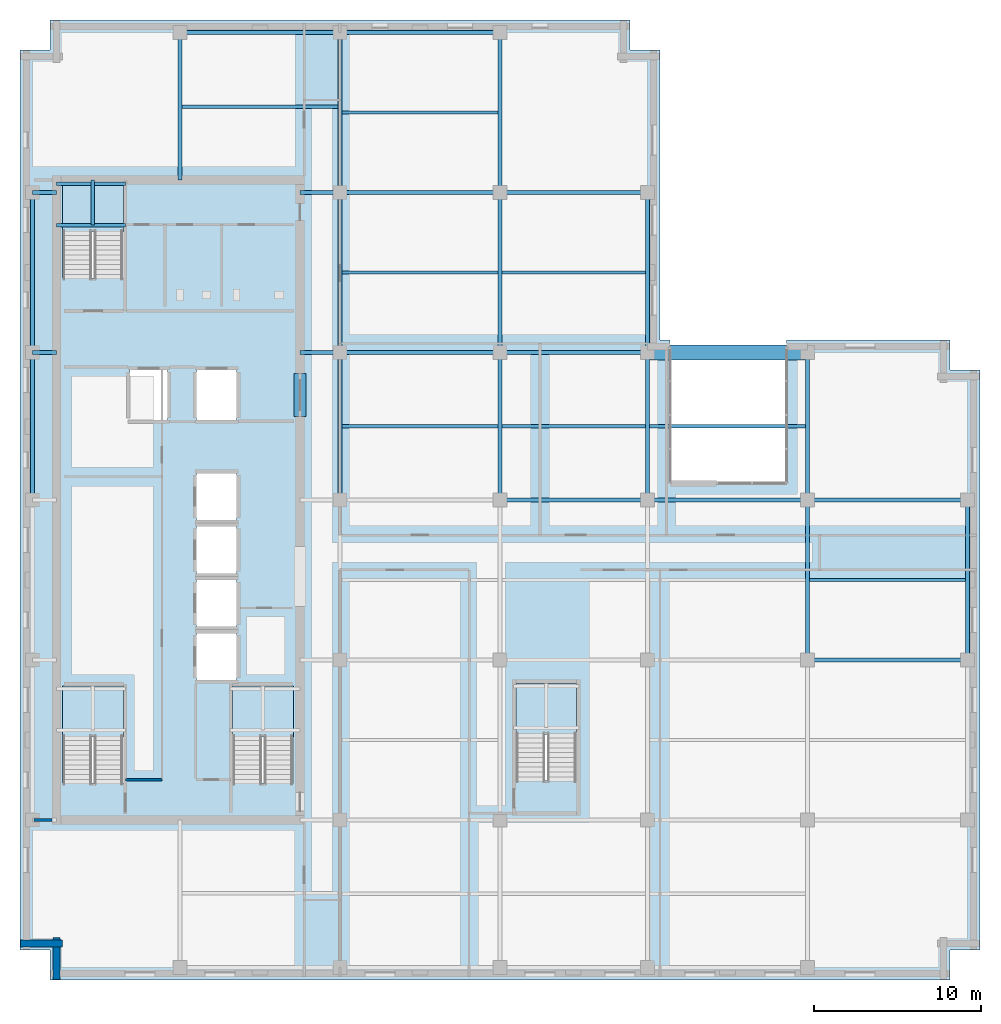
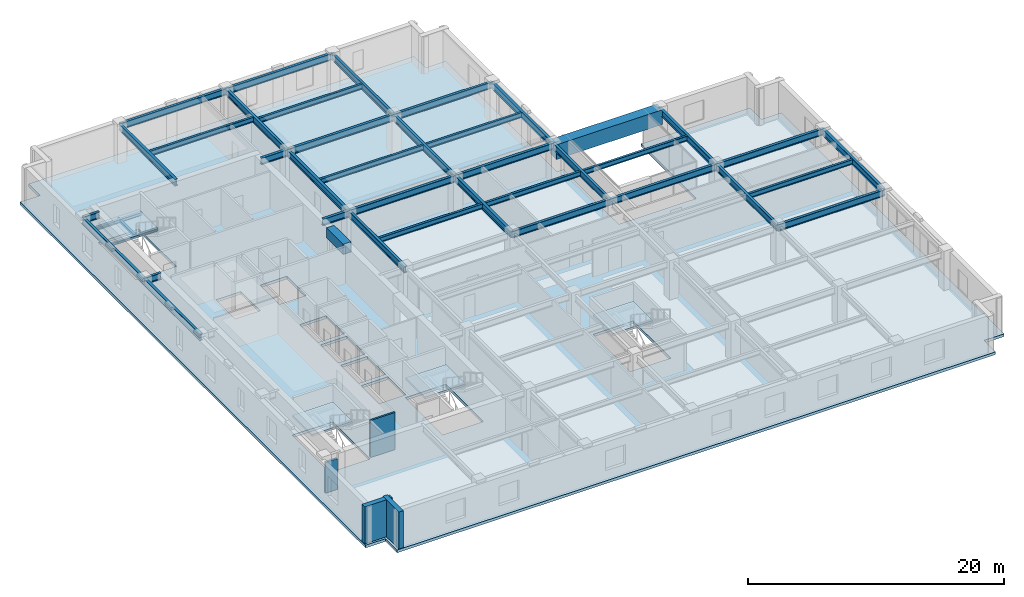
# One storey, part 2 of 12: 41 beams, 5 slabs, 4 walls, 4 elements without a shape of their own.
"""IFC4 building model written with IfcOpenShell, lengths in metres."""

from ifc_helpers import new_model, si_unit, direction, frame, frame_2d, origin, origin_2d, place, context, subcontext, project, spatial, polyline, rectangle, i_section, outline, extrude, material, layer, layer_set, material_profile, profile_set, type_object, element, aggregate, save


model = new_model("IFC4")

# Units and contexts
model_context = context("Model", 3, precision=1e-05, world=origin(), true_north=direction((0.0, 1.0)))
body_context = subcontext(model_context, "Body", "Model", "MODEL_VIEW")
ifc_project = project(units=[si_unit("LENGTHUNIT", "METRE"), si_unit("AREAUNIT", "SQUARE_METRE"), si_unit("VOLUMEUNIT", "CUBIC_METRE"), si_unit("PLANEANGLEUNIT", "RADIAN"), si_unit("MASSUNIT", "GRAM", prefix="KILO")], contexts=[model_context])

# Site, building, storey
site_placement = place(None, origin())
site = spatial("IfcSite", under=ifc_project, at=site_placement, CompositionType="ELEMENT")
building_placement = place(site_placement, origin())
building = spatial("IfcBuilding", under=site, at=building_placement, Name="Norrvale University Quadrangle", CompositionType="ELEMENT")
storey_placement = place(building_placement, frame((0.0, 0.0, 225.60009765625)))
storey = spatial("IfcBuildingStorey", under=building, at=storey_placement, Name="L57", CompositionType="ELEMENT", Elevation=225.60009765625)

# Beams
ifc_material_1 = material(Name="Concrete C80/95", Category="concrete")
ifc_material_profile_1 = material_profile(ifc_material_1, rectangle(XDim=0.699951171875, YDim=0.949951171875, at=origin_2d()), Name="Concrete C80/95")
ifc_profile_set_1 = profile_set([ifc_material_profile_1], Name="Concrete C80/95")
beam_type_1 = type_object("IfcBeamType", Name="Beam Core Link 700x950", PredefinedType="LINTEL", material=ifc_profile_set_1)
beam_1_placement = place(storey_placement, frame((16.800048828125, 33.800048828125, 3.06494140625), z_axis=(0.0, 1.0, 0.0), x_axis=(-1.0, 0.0, 0.0)))
element("IfcBeam", 1, at=beam_1_placement, inside=storey, type_object=beam_type_1, Name="Core Coupling Lintel Beam L57-2", PredefinedType="LINTEL", context=body_context, shape_type="SweptSolid", body=[
    extrude(rectangle(XDim=0.699951171875, YDim=0.949951171875, at=origin_2d()), origin(), (0.0, 0.0, 1.0), 2.599853515625),
])
ifc_material_2 = material(Name="Steel 350W", Category="steel")
ifc_material_profile_2 = material_profile(ifc_material_2, i_section(OverallWidth=0.194091796875, OverallDepth=0.468994140625, WebThickness=0.0126953125, FlangeThickness=0.0205078125, FilletRadius=0.012939453125, at=origin_2d()), Name="Steel 350W")
ifc_profile_set_2 = profile_set([ifc_material_profile_2], Name="Steel 350W")
beam_type_2 = type_object("IfcBeamType", Name="Beam Floor W460x106", PredefinedType="BEAM", material=ifc_profile_set_2)
for number, where, z_axis, x_axis, name in (
    (2, (19.31494140625, 33.22509765625, 3.305419921875), (1.0, 0.0, 0.0), (0.0, 1.0, 0.0), "Beam Floor W460x106 BM-L57-J063"),
    (3, (19.31494140625, 42.449951171875, 3.305419921875), (1.0, 0.0, 0.0), (0.0, 1.0, 0.0), "Beam Floor W460x106 BM-L57-J064"),
    (4, (19.31494140625, 52.050048828125, 3.305419921875), (1.0, 0.0, 0.0), (0.0, 1.0, 0.0), "Beam Floor W460x106 BM-L57-J065"),
):
    element("IfcBeam", number, at=place(storey_placement, frame(where, z_axis=z_axis, x_axis=x_axis)), inside=storey, type_object=beam_type_2, Name=name, PredefinedType="BEAM", context=body_context, shape_type="SweptSolid", body=[
        extrude(i_section(OverallWidth=0.194091796875, OverallDepth=0.468994140625, WebThickness=0.0126953125, FlangeThickness=0.0205078125, FilletRadius=0.012939453125, at=origin_2d()), origin(), (0.0, 0.0, 1.0), 9.3701171875),
    ])
for number, where, z_axis, x_axis, name in (
    (5, (28.9150390625, 33.22509765625, 3.305419921875), (1.0, 0.0, 0.0), (0.0, 1.0, 0.0), "Beam Floor W460x106 BM-L57-J068"),
    (6, (28.9150390625, 42.449951171875, 3.305419921875), (1.0, 0.0, 0.0), (0.0, 1.0, 0.0), "Beam Floor W460x106 BM-L57-J069"),
):
    element("IfcBeam", number, at=place(storey_placement, frame(where, z_axis=z_axis, x_axis=x_axis)), inside=storey, type_object=beam_type_2, Name=name, PredefinedType="BEAM", context=body_context, shape_type="SweptSolid", body=[
        extrude(i_section(OverallWidth=0.194091796875, OverallDepth=0.468994140625, WebThickness=0.0126953125, FlangeThickness=0.0205078125, FilletRadius=0.012939453125, at=origin_2d()), origin(), (0.0, 0.0, 1.0), 8.619873046875),
    ])
for number, where, z_axis, x_axis, name in (
    (7, (37.764892578125, 33.22509765625, 3.305419921875), (1.0, 0.0, 0.0), (0.0, 1.0, 0.0), "Beam Floor W460x106 BM-L57-J073"),
    (8, (47.364990234375, 24.0, 3.305419921875), (1.0, 0.0, 0.0), (0.0, 1.0, 0.0), "Beam Floor W460x106 BM-L57-J075"),
):
    element("IfcBeam", number, at=place(storey_placement, frame(where, z_axis=z_axis, x_axis=x_axis)), inside=storey, type_object=beam_type_2, Name=name, PredefinedType="BEAM", context=body_context, shape_type="SweptSolid", body=[
        extrude(i_section(OverallWidth=0.194091796875, OverallDepth=0.468994140625, WebThickness=0.0126953125, FlangeThickness=0.0205078125, FilletRadius=0.012939453125, at=origin_2d()), origin(), (0.0, 0.0, 1.0), 9.3701171875),
    ])
beam_2_placement = place(storey_placement, frame((9.715087890625, 52.39990234375, 3.305419921875), z_axis=(1.0, 0.0, 0.0), x_axis=(0.0, 1.0, 0.0)))
element("IfcBeam", 9, at=beam_2_placement, inside=storey, type_object=beam_type_2, Name="Beam Floor W460x106 BM-L57-JCN079", PredefinedType="BEAM", context=body_context, shape_type="SweptSolid", body=[
    extrude(i_section(OverallWidth=0.194091796875, OverallDepth=0.468994140625, WebThickness=0.0126953125, FlangeThickness=0.0205078125, FilletRadius=0.012939453125, at=origin_2d()), origin(), (0.0, 0.0, 1.0), 9.369873046875),
])
ifc_material_profile_3 = material_profile(ifc_material_2, i_section(OverallWidth=0.22998046875, OverallDepth=0.616943359375, WebThickness=0.01318359375, FlangeThickness=0.022216796875, FilletRadius=0.01611328125, at=origin_2d()), Name="Steel 350W")
ifc_profile_set_3 = profile_set([ifc_material_profile_3], Name="Steel 350W")
beam_type_3 = type_object("IfcBeamType", Name="Beam Floor W610x140", PredefinedType="BEAM", material=ifc_profile_set_3)
beam_3_placement = place(storey_placement, frame((47.25, 19.199951171875, 3.2314453125), z_axis=(1.0, 0.0, 0.0), x_axis=(0.0, 1.0, 0.0)))
element("IfcBeam", 10, at=beam_3_placement, inside=storey, type_object=beam_type_3, Name="Beam Floor W610x140 BM-L57-GX012", PredefinedType="BEAM", context=body_context, shape_type="SweptSolid", body=[
    extrude(i_section(OverallWidth=0.22998046875, OverallDepth=0.616943359375, WebThickness=0.01318359375, FlangeThickness=0.022216796875, FilletRadius=0.01611328125, at=origin_2d()), origin(), (0.0, 0.0, 1.0), 9.60009765625),
])
beam_4_placement = place(storey_placement, frame((28.800048828125, 28.800048828125, 3.2314453125), z_axis=(1.0, 0.0, 0.0), x_axis=(0.0, 1.0, 0.0)))
element("IfcBeam", 11, at=beam_4_placement, inside=storey, type_object=beam_type_3, Name="Beam Floor W610x140 BM-L57-GX014", PredefinedType="BEAM", context=body_context, shape_type="SweptSolid", body=[
    extrude(i_section(OverallWidth=0.22998046875, OverallDepth=0.616943359375, WebThickness=0.01318359375, FlangeThickness=0.022216796875, FilletRadius=0.01611328125, at=origin_2d()), origin(), (0.0, 0.0, 1.0), 8.849853515625),
])
for number, where, z_axis, x_axis, name in (
    (12, (37.64990234375, 28.800048828125, 3.2314453125), (1.0, 0.0, 0.0), (0.0, 1.0, 0.0), "Beam Floor W610x140 BM-L57-GX015"),
    (13, (47.25, 28.800048828125, 3.2314453125), (1.0, 0.0, 0.0), (0.0, 1.0, 0.0), "Beam Floor W610x140 BM-L57-GX016"),
    (14, (19.199951171875, 37.64990234375, 3.2314453125), (1.0, 0.0, 0.0), (0.0, 1.0, 0.0), "Beam Floor W610x140 BM-L57-GX017"),
):
    element("IfcBeam", number, at=place(storey_placement, frame(where, z_axis=z_axis, x_axis=x_axis)), inside=storey, type_object=beam_type_3, Name=name, PredefinedType="BEAM", context=body_context, shape_type="SweptSolid", body=[
        extrude(i_section(OverallWidth=0.22998046875, OverallDepth=0.616943359375, WebThickness=0.01318359375, FlangeThickness=0.022216796875, FilletRadius=0.01611328125, at=origin_2d()), origin(), (0.0, 0.0, 1.0), 9.60009765625),
    ])
beam_5_placement = place(storey_placement, frame((28.800048828125, 37.64990234375, 3.2314453125), z_axis=(1.0, 0.0, 0.0), x_axis=(0.0, 1.0, 0.0)))
element("IfcBeam", 15, at=beam_5_placement, inside=storey, type_object=beam_type_3, Name="Beam Floor W610x140 BM-L57-GX018", PredefinedType="BEAM", context=body_context, shape_type="SweptSolid", body=[
    extrude(i_section(OverallWidth=0.22998046875, OverallDepth=0.616943359375, WebThickness=0.01318359375, FlangeThickness=0.022216796875, FilletRadius=0.01611328125, at=origin_2d()), origin(), (0.0, 0.0, 1.0), 8.849853515625),
])
beam_6_placement = place(storey_placement, frame((19.199951171875, 47.25, 3.2314453125), z_axis=(1.0, 0.0, 0.0), x_axis=(0.0, 1.0, 0.0)))
element("IfcBeam", 16, at=beam_6_placement, inside=storey, type_object=beam_type_3, Name="Beam Floor W610x140 BM-L57-GX019", PredefinedType="BEAM", context=body_context, shape_type="SweptSolid", body=[
    extrude(i_section(OverallWidth=0.22998046875, OverallDepth=0.616943359375, WebThickness=0.01318359375, FlangeThickness=0.022216796875, FilletRadius=0.01611328125, at=origin_2d()), origin(), (0.0, 0.0, 1.0), 9.60009765625),
])
beam_7_placement = place(storey_placement, frame((28.800048828125, 47.25, 3.2314453125), z_axis=(1.0, 0.0, 0.0), x_axis=(0.0, 1.0, 0.0)))
element("IfcBeam", 17, at=beam_7_placement, inside=storey, type_object=beam_type_3, Name="Beam Floor W610x140 BM-L57-GX020", PredefinedType="BEAM", context=body_context, shape_type="SweptSolid", body=[
    extrude(i_section(OverallWidth=0.22998046875, OverallDepth=0.616943359375, WebThickness=0.01318359375, FlangeThickness=0.022216796875, FilletRadius=0.01611328125, at=origin_2d()), origin(), (0.0, 0.0, 1.0), 8.849853515625),
])
beam_8_placement = place(storey_placement, frame((9.60009765625, 56.85009765625, 3.2314453125), z_axis=(1.0, 0.0, 0.0), x_axis=(0.0, 1.0, 0.0)))
element("IfcBeam", 18, at=beam_8_placement, inside=storey, type_object=beam_type_3, Name="Beam Floor W610x140 BM-L57-GX021", PredefinedType="BEAM", context=body_context, shape_type="SweptSolid", body=[
    extrude(i_section(OverallWidth=0.22998046875, OverallDepth=0.616943359375, WebThickness=0.01318359375, FlangeThickness=0.022216796875, FilletRadius=0.01611328125, at=origin_2d()), origin(), (0.0, 0.0, 1.0), 9.599853515625),
])
beam_9_placement = place(storey_placement, frame((19.199951171875, 56.85009765625, 3.2314453125), z_axis=(1.0, 0.0, 0.0), x_axis=(0.0, 1.0, 0.0)))
element("IfcBeam", 19, at=beam_9_placement, inside=storey, type_object=beam_type_3, Name="Beam Floor W610x140 BM-L57-GX022", PredefinedType="BEAM", context=body_context, shape_type="SweptSolid", body=[
    extrude(i_section(OverallWidth=0.22998046875, OverallDepth=0.616943359375, WebThickness=0.01318359375, FlangeThickness=0.022216796875, FilletRadius=0.01611328125, at=origin_2d()), origin(), (0.0, 0.0, 1.0), 9.60009765625),
])
beam_10_placement = place(storey_placement, frame((0.75, 28.800048828125, 3.2314453125), z_axis=(0.0, 1.0, 0.0), x_axis=(-1.0, 0.0, 0.0)))
element("IfcBeam", 20, at=beam_10_placement, inside=storey, type_object=beam_type_3, Name="Beam Floor W610x140 BM-L57-GY025", PredefinedType="BEAM", context=body_context, shape_type="SweptSolid", body=[
    extrude(i_section(OverallWidth=0.22998046875, OverallDepth=0.616943359375, WebThickness=0.01318359375, FlangeThickness=0.022216796875, FilletRadius=0.01611328125, at=origin_2d()), origin(), (0.0, 0.0, 1.0), 8.849853515625),
])
beam_11_placement = place(storey_placement, frame((0.75, 37.64990234375, 3.2314453125), z_axis=(0.0, 1.0, 0.0), x_axis=(-1.0, 0.0, 0.0)))
element("IfcBeam", 21, at=beam_11_placement, inside=storey, type_object=beam_type_3, Name="Beam Floor W610x140 BM-L57-GY026", PredefinedType="BEAM", context=body_context, shape_type="SweptSolid", body=[
    extrude(i_section(OverallWidth=0.22998046875, OverallDepth=0.616943359375, WebThickness=0.01318359375, FlangeThickness=0.022216796875, FilletRadius=0.01611328125, at=origin_2d()), origin(), (0.0, 0.0, 1.0), 9.60009765625),
])
beam_12_placement = place(storey_placement, frame((19.199951171875, 28.800048828125, 3.2314453125), z_axis=(0.0, 1.0, 0.0), x_axis=(-1.0, 0.0, 0.0)))
element("IfcBeam", 22, at=beam_12_placement, inside=storey, type_object=beam_type_3, Name="Beam Floor W610x140 BM-L57-GY030", PredefinedType="BEAM", context=body_context, shape_type="SweptSolid", body=[
    extrude(i_section(OverallWidth=0.22998046875, OverallDepth=0.616943359375, WebThickness=0.01318359375, FlangeThickness=0.022216796875, FilletRadius=0.01611328125, at=origin_2d()), origin(), (0.0, 0.0, 1.0), 8.849853515625),
])
for number, where, z_axis, x_axis, name in (
    (23, (19.199951171875, 37.64990234375, 3.2314453125), (0.0, 1.0, 0.0), (-1.0, 0.0, 0.0), "Beam Floor W610x140 BM-L57-GY031"),
    (24, (19.199951171875, 47.25, 3.2314453125), (0.0, 1.0, 0.0), (-1.0, 0.0, 0.0), "Beam Floor W610x140 BM-L57-GY032"),
):
    element("IfcBeam", number, at=place(storey_placement, frame(where, z_axis=z_axis, x_axis=x_axis)), inside=storey, type_object=beam_type_3, Name=name, PredefinedType="BEAM", context=body_context, shape_type="SweptSolid", body=[
        extrude(i_section(OverallWidth=0.22998046875, OverallDepth=0.616943359375, WebThickness=0.01318359375, FlangeThickness=0.022216796875, FilletRadius=0.01611328125, at=origin_2d()), origin(), (0.0, 0.0, 1.0), 9.60009765625),
    ])
beam_13_placement = place(storey_placement, frame((28.800048828125, 28.800048828125, 3.2314453125), z_axis=(0.0, 1.0, 0.0), x_axis=(-1.0, 0.0, 0.0)))
element("IfcBeam", 25, at=beam_13_placement, inside=storey, type_object=beam_type_3, Name="Beam Floor W610x140 BM-L57-GY036", PredefinedType="BEAM", context=body_context, shape_type="SweptSolid", body=[
    extrude(i_section(OverallWidth=0.22998046875, OverallDepth=0.616943359375, WebThickness=0.01318359375, FlangeThickness=0.022216796875, FilletRadius=0.01611328125, at=origin_2d()), origin(), (0.0, 0.0, 1.0), 8.849853515625),
])
for number, where, z_axis, x_axis, name in (
    (26, (28.800048828125, 37.64990234375, 3.2314453125), (0.0, 1.0, 0.0), (-1.0, 0.0, 0.0), "Beam Floor W610x140 BM-L57-GY037"),
    (27, (28.800048828125, 47.25, 3.2314453125), (0.0, 1.0, 0.0), (-1.0, 0.0, 0.0), "Beam Floor W610x140 BM-L57-GY038"),
):
    element("IfcBeam", number, at=place(storey_placement, frame(where, z_axis=z_axis, x_axis=x_axis)), inside=storey, type_object=beam_type_3, Name=name, PredefinedType="BEAM", context=body_context, shape_type="SweptSolid", body=[
        extrude(i_section(OverallWidth=0.22998046875, OverallDepth=0.616943359375, WebThickness=0.01318359375, FlangeThickness=0.022216796875, FilletRadius=0.01611328125, at=origin_2d()), origin(), (0.0, 0.0, 1.0), 9.60009765625),
    ])
beam_14_placement = place(storey_placement, frame((37.64990234375, 28.800048828125, 3.2314453125), z_axis=(0.0, 1.0, 0.0), x_axis=(-1.0, 0.0, 0.0)))
element("IfcBeam", 28, at=beam_14_placement, inside=storey, type_object=beam_type_3, Name="Beam Floor W610x140 BM-L57-GY042", PredefinedType="BEAM", context=body_context, shape_type="SweptSolid", body=[
    extrude(i_section(OverallWidth=0.22998046875, OverallDepth=0.616943359375, WebThickness=0.01318359375, FlangeThickness=0.022216796875, FilletRadius=0.01611328125, at=origin_2d()), origin(), (0.0, 0.0, 1.0), 8.849853515625),
])
for number, where, z_axis, x_axis, name in (
    (29, (37.64990234375, 37.64990234375, 3.2314453125), (0.0, 1.0, 0.0), (-1.0, 0.0, 0.0), "Beam Floor W610x140 BM-L57-GY043"),
    (30, (47.25, 19.199951171875, 3.2314453125), (0.0, 1.0, 0.0), (-1.0, 0.0, 0.0), "Beam Floor W610x140 BM-L57-GY046"),
):
    element("IfcBeam", number, at=place(storey_placement, frame(where, z_axis=z_axis, x_axis=x_axis)), inside=storey, type_object=beam_type_3, Name=name, PredefinedType="BEAM", context=body_context, shape_type="SweptSolid", body=[
        extrude(i_section(OverallWidth=0.22998046875, OverallDepth=0.616943359375, WebThickness=0.01318359375, FlangeThickness=0.022216796875, FilletRadius=0.01611328125, at=origin_2d()), origin(), (0.0, 0.0, 1.0), 9.60009765625),
    ])
beam_15_placement = place(storey_placement, frame((47.25, 28.800048828125, 3.2314453125), z_axis=(0.0, 1.0, 0.0), x_axis=(-1.0, 0.0, 0.0)))
element("IfcBeam", 31, at=beam_15_placement, inside=storey, type_object=beam_type_3, Name="Beam Floor W610x140 BM-L57-GY047", PredefinedType="BEAM", context=body_context, shape_type="SweptSolid", body=[
    extrude(i_section(OverallWidth=0.22998046875, OverallDepth=0.616943359375, WebThickness=0.01318359375, FlangeThickness=0.022216796875, FilletRadius=0.01611328125, at=origin_2d()), origin(), (0.0, 0.0, 1.0), 8.849853515625),
])
beam_16_placement = place(storey_placement, frame((56.85009765625, 19.199951171875, 3.2314453125), z_axis=(0.0, 1.0, 0.0), x_axis=(-1.0, 0.0, 0.0)))
element("IfcBeam", 32, at=beam_16_placement, inside=storey, type_object=beam_type_3, Name="Beam Floor W610x140 BM-L57-GY049", PredefinedType="BEAM", context=body_context, shape_type="SweptSolid", body=[
    extrude(i_section(OverallWidth=0.22998046875, OverallDepth=0.616943359375, WebThickness=0.01318359375, FlangeThickness=0.022216796875, FilletRadius=0.01611328125, at=origin_2d()), origin(), (0.0, 0.0, 1.0), 9.60009765625),
])
beam_17_placement = place(storey_placement, frame((0.75, 37.64990234375, 3.2314453125), z_axis=(1.0, 0.0, 0.0), x_axis=(0.0, 1.0, 0.0)))
element("IfcBeam", 33, at=beam_17_placement, inside=storey, type_object=beam_type_3, Name="Beam Floor W610x140 BM-L57-GCW056", PredefinedType="BEAM", context=body_context, shape_type="SweptSolid", body=[
    extrude(i_section(OverallWidth=0.22998046875, OverallDepth=0.616943359375, WebThickness=0.01318359375, FlangeThickness=0.022216796875, FilletRadius=0.01611328125, at=origin_2d()), origin(), (0.0, 0.0, 1.0), 1.449951171875),
])
beam_18_placement = place(storey_placement, frame((16.800048828125, 37.64990234375, 3.2314453125), z_axis=(1.0, 0.0, 0.0), x_axis=(0.0, 1.0, 0.0)))
element("IfcBeam", 34, at=beam_18_placement, inside=storey, type_object=beam_type_3, Name="Beam Floor W610x140 BM-L57-GCE057", PredefinedType="BEAM", context=body_context, shape_type="SweptSolid", body=[
    extrude(i_section(OverallWidth=0.22998046875, OverallDepth=0.616943359375, WebThickness=0.01318359375, FlangeThickness=0.022216796875, FilletRadius=0.01611328125, at=origin_2d()), origin(), (0.0, 0.0, 1.0), 2.39990234375),
])
beam_19_placement = place(storey_placement, frame((0.75, 47.25, 3.2314453125), z_axis=(1.0, 0.0, 0.0), x_axis=(0.0, 1.0, 0.0)))
element("IfcBeam", 35, at=beam_19_placement, inside=storey, type_object=beam_type_3, Name="Beam Floor W610x140 BM-L57-GCW058", PredefinedType="BEAM", context=body_context, shape_type="SweptSolid", body=[
    extrude(i_section(OverallWidth=0.22998046875, OverallDepth=0.616943359375, WebThickness=0.01318359375, FlangeThickness=0.022216796875, FilletRadius=0.01611328125, at=origin_2d()), origin(), (0.0, 0.0, 1.0), 1.449951171875),
])
beam_20_placement = place(storey_placement, frame((16.800048828125, 47.25, 3.2314453125), z_axis=(1.0, 0.0, 0.0), x_axis=(0.0, 1.0, 0.0)))
element("IfcBeam", 36, at=beam_20_placement, inside=storey, type_object=beam_type_3, Name="Beam Floor W610x140 BM-L57-GCE059", PredefinedType="BEAM", context=body_context, shape_type="SweptSolid", body=[
    extrude(i_section(OverallWidth=0.22998046875, OverallDepth=0.616943359375, WebThickness=0.01318359375, FlangeThickness=0.022216796875, FilletRadius=0.01611328125, at=origin_2d()), origin(), (0.0, 0.0, 1.0), 2.39990234375),
])
beam_21_placement = place(storey_placement, frame((9.60009765625, 48.0, 3.2314453125), z_axis=(0.0, 1.0, 0.0), x_axis=(-1.0, 0.0, 0.0)))
element("IfcBeam", 37, at=beam_21_placement, inside=storey, type_object=beam_type_3, Name="Beam Floor W610x140 BM-L57-GCN078", PredefinedType="BEAM", context=body_context, shape_type="SweptSolid", body=[
    extrude(i_section(OverallWidth=0.22998046875, OverallDepth=0.616943359375, WebThickness=0.01318359375, FlangeThickness=0.022216796875, FilletRadius=0.01611328125, at=origin_2d()), origin(), (0.0, 0.0, 1.0), 8.85009765625),
])
ifc_material_profile_4 = material_profile(ifc_material_2, i_section(OverallWidth=0.201904296875, OverallDepth=0.2470703125, WebThickness=0.00732421875, FlangeThickness=0.010986328125, FilletRadius=0.011962890625, at=origin_2d()), Name="Steel 350W")
ifc_profile_set_4 = profile_set([ifc_material_profile_4], Name="Steel 350W")
beam_type_4 = type_object("IfcBeamType", Name="Beam Stair W250x49", PredefinedType="BEAM", material=ifc_profile_set_4)
for number, where, z_axis, x_axis, name in (
    (38, (2.199951171875, 45.2900390625, 1.576416015625), (1.0, 0.0, 0.0), (0.0, 1.0, 0.0), "Stair Mid-Landing Front Beam ST-02 L57"),
    (39, (2.199951171875, 47.77001953125, 1.576416015625), (1.0, 0.0, 0.0), (0.0, 1.0, 0.0), "Stair Mid-Landing Rear Beam ST-02 L57"),
):
    element("IfcBeam", number, at=place(storey_placement, frame(where, z_axis=z_axis, x_axis=x_axis)), inside=storey, type_object=beam_type_4, Name=name, PredefinedType="BEAM", context=body_context, shape_type="SweptSolid", body=[
        extrude(i_section(OverallWidth=0.201904296875, OverallDepth=0.2470703125, WebThickness=0.00732421875, FlangeThickness=0.010986328125, FilletRadius=0.011962890625, at=origin_2d()), origin(), (0.0, 0.0, 1.0), 4.14013671875),
    ])
ifc_material_3 = material(Name="Concrete C60/75", Category="concrete")
ifc_material_profile_5 = material_profile(ifc_material_3, rectangle(XDim=0.89990234375, YDim=1.39990234375, at=origin_2d()), Name="Concrete C60/75")
ifc_profile_set_5 = profile_set([ifc_material_profile_5], Name="Concrete C60/75")
beam_type_5 = type_object("IfcBeamType", Name="Beam Transfer 900x1400", PredefinedType="USERDEFINED", material=ifc_profile_set_5)
beam_22_placement = place(storey_placement, frame((37.64990234375, 37.64990234375, 2.83984375), z_axis=(1.0, 0.0, 0.0), x_axis=(0.0, 1.0, 0.0)))
element("IfcBeam", 40, at=beam_22_placement, inside=storey, type_object=beam_type_5, Name="Setback Transfer Girder L57-29", ObjectType="TRANSFER GIRDER", PredefinedType="USERDEFINED", context=body_context, shape_type="SweptSolid", body=[
    extrude(rectangle(XDim=0.89990234375, YDim=1.39990234375, at=origin_2d()), origin(), (0.0, 0.0, 1.0), 9.60009765625),
])
ifc_material_profile_6 = material_profile(ifc_material_2, i_section(OverallWidth=0.202880859375, OverallDepth=0.202880859375, WebThickness=0.007080078125, FlangeThickness=0.010986328125, FilletRadius=0.010009765625, at=origin_2d()), Name="Steel 350W")
ifc_profile_set_6 = profile_set([ifc_material_profile_6], Name="Steel 350W")
beam_type_6 = type_object("IfcBeamType", Name="Beam Trim W200x46", PredefinedType="BEAM", material=ifc_profile_set_6)
beam_23_placement = place(storey_placement, frame((4.375, 45.2900390625, 1.598388671875), z_axis=(0.0, 1.0, 0.0), x_axis=(-1.0, 0.0, 0.0)))
element("IfcBeam", 41, at=beam_23_placement, inside=storey, type_object=beam_type_6, Name="Stair Mid-Landing Cross Beam ST-02 L57", PredefinedType="BEAM", context=body_context, shape_type="SweptSolid", body=[
    extrude(i_section(OverallWidth=0.202880859375, OverallDepth=0.202880859375, WebThickness=0.007080078125, FlangeThickness=0.010986328125, FilletRadius=0.010009765625, at=origin_2d()), origin(), (0.0, 0.0, 1.0), 2.7099609375),
])

# Stair, slab
ifc_material_4 = material(Name="Concrete C40/50", Category="concrete")
stair_type = type_object("IfcStairType", Name="Stair Tower Typ 3800", PredefinedType="TWO_STRAIGHT_RUN_STAIR", material=ifc_material_4)
stair_1_placement = place(storey_placement, origin())
stair_1 = element("IfcStair", 42, at=stair_1_placement, inside=storey, type_object=stair_type, Name="Exit Stair ST-01 L57", PredefinedType="TWO_STRAIGHT_RUN_STAIR")
ifc_layer_1 = layer(ifc_material_4, 0.199951171875, Name="Concrete C40/50")
ifc_layer_set_1 = layer_set([ifc_layer_1], Name="Concrete C40/50")
slab_type_1 = type_object("IfcSlabType", Name="Slab Landing 200", PredefinedType="LANDING", material=ifc_layer_set_1)
slab_1_placement = place(storey_placement, frame((0.0, 0.0, 1.699951171875)))
slab_1 = element("IfcSlab", 43, at=slab_1_placement, type_object=slab_type_1, Name="Exit Stair ST-01 L57 Mid Landing", PredefinedType="LANDING", context=body_context, shape_type="SweptSolid", body=[
    extrude(outline(polyline([(2.550048828125, 14.590087890625), (6.199951171875, 14.590087890625), (6.199951171875, 17.64990234375), (2.550048828125, 17.64990234375), (2.550048828125, 14.590087890625)])), origin(), (0.0, 0.0, 1.0), 0.199951171875),
])
aggregate(stair_1, [slab_1])

stair_2_placement = place(storey_placement, origin())
stair_2 = element("IfcStair", 44, at=stair_2_placement, inside=storey, type_object=stair_type, Name="Exit Stair ST-02 L57", PredefinedType="TWO_STRAIGHT_RUN_STAIR")
slab_2_placement = place(storey_placement, frame((0.0, 0.0, 1.699951171875)))
slab_2 = element("IfcSlab", 45, at=slab_2_placement, type_object=slab_type_1, Name="Exit Stair ST-02 L57 Mid Landing", PredefinedType="LANDING", context=body_context, shape_type="SweptSolid", body=[
    extrude(outline(polyline([(2.550048828125, 44.889892578125), (6.199951171875, 44.889892578125), (6.199951171875, 47.949951171875), (2.550048828125, 47.949951171875), (2.550048828125, 44.889892578125)])), origin(), (0.0, 0.0, 1.0), 0.199951171875),
])
aggregate(stair_2, [slab_2])

stair_3_placement = place(storey_placement, origin())
stair_3 = element("IfcStair", 46, at=stair_3_placement, inside=storey, type_object=stair_type, Name="Exit Stair ST-03 L57", PredefinedType="TWO_STRAIGHT_RUN_STAIR")
slab_3_placement = place(storey_placement, frame((0.0, 0.0, 1.699951171875)))
slab_3 = element("IfcSlab", 47, at=slab_3_placement, type_object=slab_type_1, Name="Exit Stair ST-03 L57 Mid Landing", PredefinedType="LANDING", context=body_context, shape_type="SweptSolid", body=[
    extrude(outline(polyline([(12.75, 14.590087890625), (16.39990234375, 14.590087890625), (16.39990234375, 17.64990234375), (12.75, 17.64990234375), (12.75, 14.590087890625)])), origin(), (0.0, 0.0, 1.0), 0.199951171875),
])
aggregate(stair_3, [slab_3])

stair_4_placement = place(storey_placement, origin())
stair_4 = element("IfcStair", 48, at=stair_4_placement, inside=storey, type_object=stair_type, Name="Exit Stair ST-04 L57", PredefinedType="TWO_STRAIGHT_RUN_STAIR")
slab_4_placement = place(storey_placement, frame((0.0, 0.0, 1.699951171875)))
slab_4 = element("IfcSlab", 49, at=slab_4_placement, type_object=slab_type_1, Name="Exit Stair ST-04 L57 Mid Landing", PredefinedType="LANDING", context=body_context, shape_type="SweptSolid", body=[
    extrude(outline(polyline([(29.75, 14.739990234375), (33.39990234375, 14.739990234375), (33.39990234375, 17.800048828125), (29.75, 17.800048828125), (29.75, 14.739990234375)])), origin(), (0.0, 0.0, 1.0), 0.199951171875),
])
aggregate(stair_4, [slab_4])

# Slab
ifc_layer_2 = layer(ifc_material_4, 0.260009765625, Name="Concrete C40/50")
ifc_layer_set_2 = layer_set([ifc_layer_2], Name="Concrete C40/50")
slab_type_2 = type_object("IfcSlabType", Name="Slab Tower Typ 260", PredefinedType="FLOOR", material=ifc_layer_set_2)
slab_5_placement = place(storey_placement, frame((0.0, 0.0, -0.260009765625)))
element("IfcSlab", 50, at=slab_5_placement, inside=storey, type_object=slab_type_2, Name="Tower L57 Floor Slab", PredefinedType="FLOOR", context=body_context, shape_type="SweptSolid", body=[
    extrude(outline(polyline([(55.800048828125, 38.39990234375), (55.800048828125, 36.60009765625), (57.60009765625, 36.60009765625), (57.60009765625, 1.800048828125), (55.800048828125, 1.800048828125), (55.800048828125, 0.0), (1.800048828125, 0.0), (1.800048828125, 1.800048828125), (0.0, 1.800048828125), (0.0, 55.800048828125), (1.800048828125, 55.800048828125), (1.800048828125, 57.60009765625), (36.60009765625, 57.60009765625), (36.60009765625, 55.800048828125), (38.39990234375, 55.800048828125), (38.39990234375, 38.39990234375), (39.0, 38.39990234375), (39.0, 29.800048828125), (46.0, 29.800048828125), (46.0, 38.39990234375), (55.800048828125, 38.39990234375)]), holes=[polyline([(2.550048828125, 11.81005859375), (6.199951171875, 11.81005859375), (6.199951171875, 17.64990234375), (2.550048828125, 17.64990234375), (2.550048828125, 11.81005859375)]), polyline([(2.550048828125, 42.110107421875), (6.199951171875, 42.110107421875), (6.199951171875, 47.949951171875), (2.550048828125, 47.949951171875), (2.550048828125, 42.110107421875)]), polyline([(12.75, 11.81005859375), (16.39990234375, 11.81005859375), (16.39990234375, 17.64990234375), (12.75, 17.64990234375), (12.75, 11.81005859375)]), polyline([(29.75, 11.9599609375), (33.39990234375, 11.9599609375), (33.39990234375, 17.800048828125), (29.75, 17.800048828125), (29.75, 11.9599609375)]), polyline([(10.60009765625, 18.0), (13.0, 18.0), (13.0, 20.800048828125), (10.60009765625, 20.800048828125), (10.60009765625, 18.0)]), polyline([(10.60009765625, 21.199951171875), (13.0, 21.199951171875), (13.0, 24.0), (10.60009765625, 24.0), (10.60009765625, 21.199951171875)]), polyline([(10.60009765625, 24.39990234375), (13.0, 24.39990234375), (13.0, 27.199951171875), (10.60009765625, 27.199951171875), (10.60009765625, 24.39990234375)]), polyline([(10.60009765625, 27.60009765625), (13.0, 27.60009765625), (13.0, 30.39990234375), (10.60009765625, 30.39990234375), (10.60009765625, 27.60009765625)]), polyline([(6.60009765625, 33.60009765625), (8.85009765625, 33.60009765625), (8.85009765625, 36.60009765625), (6.60009765625, 36.60009765625), (6.60009765625, 33.60009765625)]), polyline([(10.60009765625, 33.60009765625), (13.0, 33.60009765625), (13.0, 36.60009765625), (10.60009765625, 36.60009765625), (10.60009765625, 33.60009765625)])]), origin(), (0.0, 0.0, 1.0), 0.260009765625),
])

# Walls
ifc_material_5 = material(Name="Buff Norman Clay Brick Masonry", Category="masonry")
ifc_layer_3 = layer(ifc_material_5, 0.419921875, Name="Buff Norman Clay Brick Masonry")
ifc_layer_set_3 = layer_set([ifc_layer_3], Name="Buff Norman Clay Brick Masonry")
wall_type_1 = type_object("IfcWallType", Name="Wall Buff Brick 420", PredefinedType="SOLIDWALL", material=ifc_layer_set_3)
for number, where, z_axis, x_axis, name in (
    (51, (0.0400390625, 2.18994140625, 0.0), (0.0, 0.0, 1.0), (1.0, 0.0, 0.0), "Exterior Brick Facade Wall L57-15.1"),
    (52, (2.18994140625, 2.5400390625, 0.0), (0.0, 0.0, 1.0), (0.0, -1.0, 0.0), "Exterior Brick Facade Wall L57-16.1"),
):
    element("IfcWall", number, at=place(storey_placement, frame(where, z_axis=z_axis, x_axis=x_axis)), inside=storey, type_object=wall_type_1, Name=name, PredefinedType="SOLIDWALL", context=body_context, shape_type="SweptSolid", body=[
        extrude(rectangle(XDim=2.5, YDim=0.419921875, at=frame_2d((1.25, 0.0))), origin(), (0.0, 0.0, 1.0), 3.539794921875),
    ])
ifc_material_6 = material(Name="Fire-Rated Gypsum Stud Partition")
ifc_layer_4 = layer(ifc_material_6, 0.14990234375, Name="Fire-Rated Gypsum Stud Partition")
ifc_layer_set_4 = layer_set([ifc_layer_4], Name="Fire-Rated Gypsum Stud Partition")
wall_type_2 = type_object("IfcWallType", Name="Wall Gypsum Corridor 150", PredefinedType="PARTITIONING", material=ifc_layer_set_4)
wall_1_placement = place(storey_placement, frame((6.320068359375, 12.02001953125, 0.0), z_axis=(0.0, 0.0, 1.0), x_axis=(1.0, 0.0, 0.0)))
element("IfcWall", 53, at=wall_1_placement, inside=storey, type_object=wall_type_2, Name="Interior Partition WL-L57-REC-S", PredefinedType="PARTITIONING", context=body_context, shape_type="SweptSolid", body=[
    extrude(rectangle(XDim=2.199951171875, YDim=0.14990234375, at=frame_2d((1.10009765625, 0.0))), origin(), (0.0, 0.0, 1.0), 3.539794921875),
])
ifc_material_7 = material(Name="Concrete Blockwork 20 MPa Rated Wall", Category="masonry")
ifc_layer_5 = layer(ifc_material_7, 0.199951171875, Name="Concrete Blockwork 20 MPa Rated Wall")
ifc_layer_set_5 = layer_set([ifc_layer_5], Name="Concrete Blockwork 20 MPa Rated Wall")
wall_type_3 = type_object("IfcWallType", Name="Wall Lobby 200", PredefinedType="SOLIDWALL", material=ifc_layer_set_5)
wall_2_placement = place(storey_placement, frame((0.85009765625, 9.60009765625, 0.0), z_axis=(0.0, 0.0, 1.0), x_axis=(1.0, 0.0, 0.0)))
element("IfcWall", 54, at=wall_2_placement, inside=storey, type_object=wall_type_3, Name="Interior Partition WL-L57-CWRET-S", PredefinedType="SOLIDWALL", context=body_context, shape_type="SweptSolid", body=[
    extrude(rectangle(XDim=1.06982421875, YDim=0.199951171875, at=frame_2d((0.534912109375, 0.0))), origin(), (0.0, 0.0, 1.0), 2.9228515625),
])

save(model, "model.ifc")
